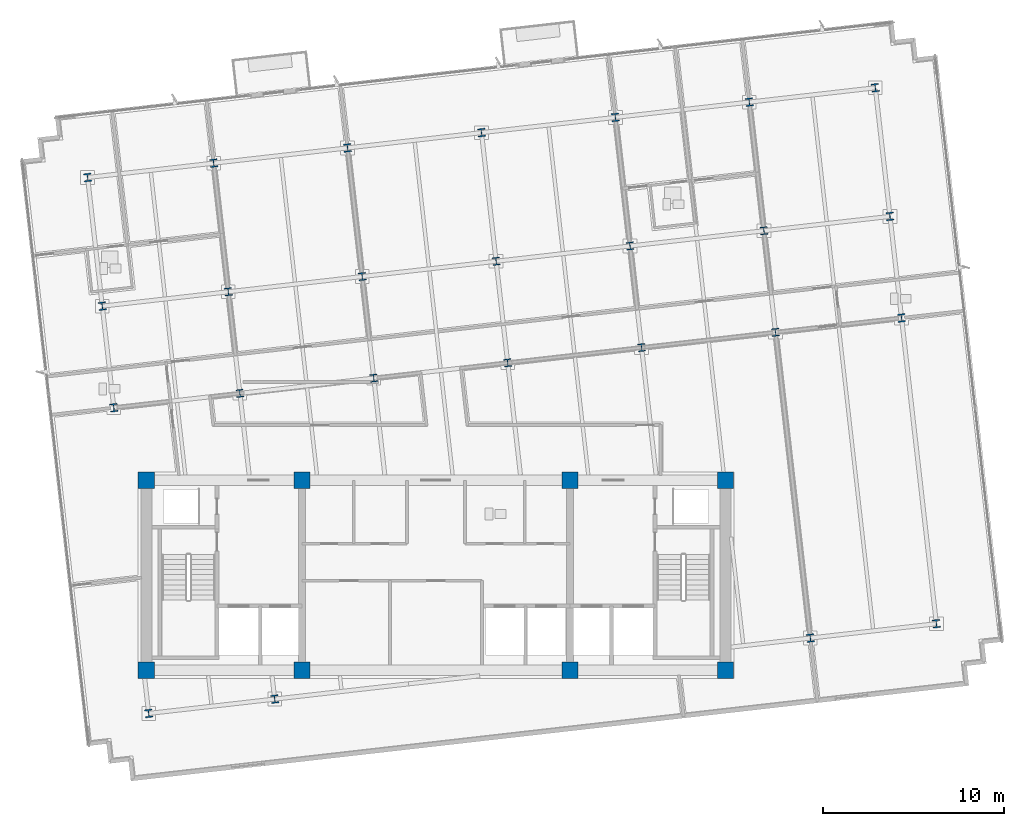
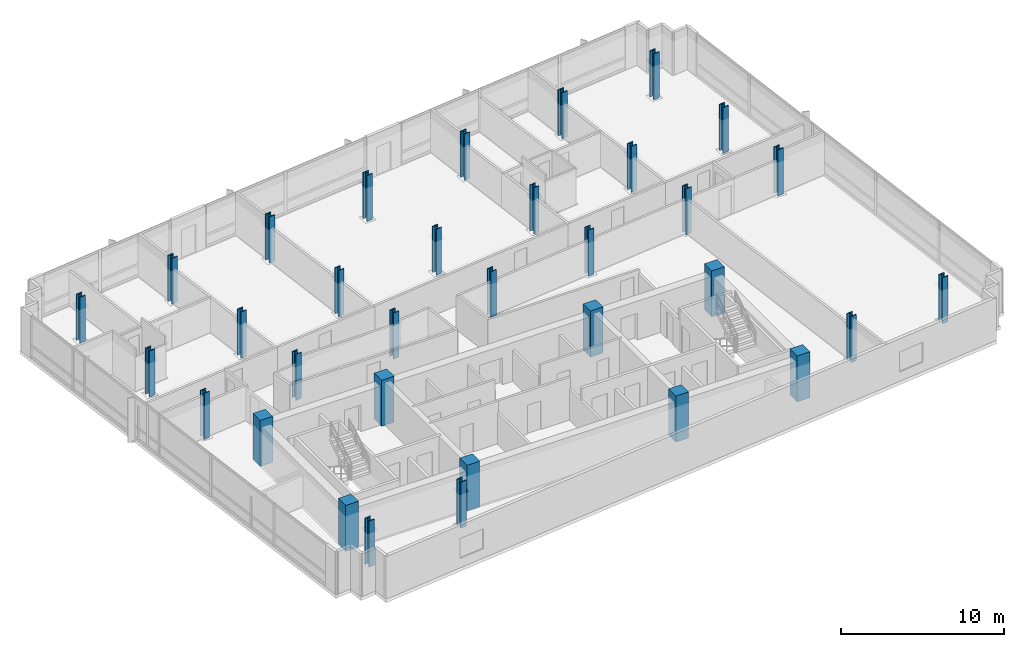
# One storey, part 1 of 15: 33 columns.
"""IFC4 building model written with IfcOpenShell, lengths in metres."""

from ifc_helpers import new_model, si_unit, direction, frame, origin, origin_2d, place, context, subcontext, project, spatial, rectangle, i_section, extrude, material, material_profile, profile_set, type_object, element, save


model = new_model("IFC4")

# Units and contexts
model_context = context("Model", 3, precision=1e-05, world=origin(), true_north=direction((0.0, 1.0)))
body_context = subcontext(model_context, "Body", "Model", "MODEL_VIEW")
ifc_project = project(units=[si_unit("LENGTHUNIT", "METRE"), si_unit("AREAUNIT", "SQUARE_METRE"), si_unit("VOLUMEUNIT", "CUBIC_METRE"), si_unit("PLANEANGLEUNIT", "RADIAN"), si_unit("MASSUNIT", "GRAM", prefix="KILO")], contexts=[model_context])

# Site, building, storey
site_placement = place(None, origin())
site = spatial("IfcSite", under=ifc_project, at=site_placement, CompositionType="ELEMENT")
building_placement = place(site_placement, origin())
building = spatial("IfcBuilding", under=site, at=building_placement, Name="Solmavex Isthmus Hotel", CompositionType="ELEMENT")
storey_placement = place(building_placement, frame((0.0, 0.0, 226.199951171875)))
storey = spatial("IfcBuildingStorey", under=building, at=storey_placement, Name="L61", CompositionType="ELEMENT", Elevation=226.199951171875)

# Columns
ifc_material_1 = material(Name="Concrete C50/60", Category="concrete")
ifc_material_profile_1 = material_profile(ifc_material_1, rectangle(XDim=0.89990234375, YDim=0.89990234375, at=origin_2d()), Name="RC900X900")
ifc_profile_set_1 = profile_set([ifc_material_profile_1], Name="Concrete C50/60")
column_type_1 = type_object("IfcColumnType", Name="COL-CC-900", PredefinedType="COLUMN", material=ifc_profile_set_1)
for number, where, z_axis, x_axis, name in (
    (1, (-16.0, -13.0, 0.0), (0.0, 0.0, 1.0), (1.0, 0.0, 0.0), "Core Pilaster CC-SW L61"),
    (2, (-7.39990234375, -13.0, 0.0), (0.0, 0.0, 1.0), (1.0, 0.0, 0.0), "Core Pilaster CC-S1 L61"),
    (3, (7.39990234375, -13.0, 0.0), (0.0, 0.0, 1.0), (1.0, 0.0, 0.0), "Core Pilaster CC-S2 L61"),
    (4, (16.0, -13.0, 0.0), (0.0, 0.0, 1.0), (1.0, 0.0, 0.0), "Core Pilaster CC-SE L61"),
    (5, (-16.0, -2.5, 0.0), (0.0, 0.0, 1.0), (1.0, 0.0, 0.0), "Core Pilaster CC-NW L61"),
    (6, (-7.39990234375, -2.5, 0.0), (0.0, 0.0, 1.0), (1.0, 0.0, 0.0), "Core Pilaster CC-N1 L61"),
    (7, (7.39990234375, -2.5, 0.0), (0.0, 0.0, 1.0), (1.0, 0.0, 0.0), "Core Pilaster CC-N2 L61"),
    (8, (16.0, -2.5, 0.0), (0.0, 0.0, 1.0), (1.0, 0.0, 0.0), "Core Pilaster CC-NE L61"),
):
    element("IfcColumn", number, at=place(storey_placement, frame(where, z_axis=z_axis, x_axis=x_axis)), inside=storey, type_object=column_type_1, Name=name, PredefinedType="COLUMN", context=body_context, shape_type="SweptSolid", body=[
        extrude(rectangle(XDim=0.89990234375, YDim=0.89990234375, at=origin_2d()), origin(), (0.0, 0.0, 1.0), 3.449951171875),
    ])
ifc_material_2 = material(Name="Steel ASTM A913 Grade 65", Category="steel")
ifc_material_profile_2 = material_profile(ifc_material_2, i_section(OverallWidth=0.412109375, OverallDepth=0.434814453125, WebThickness=0.035888671875, FlangeThickness=0.057373046875, FilletRadius=0.030517578125, at=origin_2d()), Name="W14X311")
ifc_profile_set_2 = profile_set([ifc_material_profile_2], Name="Steel ASTM A913 Grade 65")
column_type_2 = type_object("IfcColumnType", Name="COL-SC-W14X311", PredefinedType="COLUMN", material=ifc_profile_set_2)
for number, where, z_axis, x_axis, name in (
    (9, (-10.833984375, 2.30078125, 0.0), (0.0, 0.0, 1.0), (0.993571855677, 0.113203213768, 0.0), "Tower Column B4-U2V2 L61"),
    (10, (-11.473388671875, 7.912353515625, 0.0), (0.0, 0.0, 1.0), (0.993571855677, 0.113203213768, 0.0), "Tower Column B4-U2V3 L61"),
    (11, (-3.435791015625, 3.1435546875, 0.0), (0.0, 0.0, 1.0), (0.993571855677, 0.113203213768, 0.0), "Tower Column B4-U3V2 L61"),
    (12, (-4.0751953125, 8.75537109375, 0.0), (0.0, 0.0, 1.0), (0.993571855677, 0.113203213768, 0.0), "Tower Column B4-U3V3 L61"),
    (13, (3.962158203125, 3.986572265625, 0.0), (0.0, 0.0, 1.0), (0.993571855677, 0.113203213768, 0.0), "Tower Column B4-U4V2 L61"),
    (14, (3.322998046875, 9.59814453125, 0.0), (0.0, 0.0, 1.0), (0.993571855677, 0.113203213768, 0.0), "Tower Column B4-U4V3 L61"),
    (15, (11.3603515625, 4.829345703125, 0.0), (0.0, 0.0, 1.0), (0.993571855677, 0.113203213768, 0.0), "Tower Column B4-U5V2 L61"),
    (16, (10.720947265625, 10.441162109375, 0.0), (0.0, 0.0, 1.0), (0.993571855677, 0.113203213768, 0.0), "Tower Column B4-U5V3 L61"),
    (17, (18.758544921875, 5.67236328125, 0.0), (0.0, 0.0, 1.0), (0.993571855677, 0.113203213768, 0.0), "Tower Column B4-U6V2 L61"),
    (18, (18.119140625, 11.283935546875, 0.0), (0.0, 0.0, 1.0), (0.993571855677, 0.113203213768, 0.0), "Tower Column B4-U6V3 L61"),
):
    element("IfcColumn", number, at=place(storey_placement, frame(where, z_axis=z_axis, x_axis=x_axis)), inside=storey, type_object=column_type_2, Name=name, PredefinedType="COLUMN", context=body_context, shape_type="SweptSolid", body=[
        extrude(i_section(OverallWidth=0.412109375, OverallDepth=0.434814453125, WebThickness=0.035888671875, FlangeThickness=0.057373046875, FilletRadius=0.030517578125, at=origin_2d()), origin(), (0.0, 0.0, 1.0), 3.449951171875),
    ])
ifc_material_profile_3 = material_profile(ifc_material_2, i_section(OverallWidth=0.41845703125, OverallDepth=0.455078125, WebThickness=0.0419921875, FlangeThickness=0.067626953125, FilletRadius=0.030517578125, at=origin_2d()), Name="W14X370")
ifc_profile_set_3 = profile_set([ifc_material_profile_3], Name="Steel ASTM A913 Grade 65")
column_type_3 = type_object("IfcColumnType", Name="COL-SC-W14X370", PredefinedType="COLUMN", material=ifc_profile_set_3)
for number, where, z_axis, x_axis, name in (
    (19, (-15.87255859375, -15.38330078125, 0.0), (0.0, 0.0, 1.0), (0.993571855677, 0.113203213768, 0.0), "Tower Column B4-U1V1 L61"),
    (20, (-17.796875, 1.50732421875, 0.0), (0.0, 0.0, 1.0), (0.993571855677, 0.113203213768, 0.0), "Tower Column B4-U1V2 L61"),
    (21, (-18.436279296875, 7.119140625, 0.0), (0.0, 0.0, 1.0), (0.993571855677, 0.113203213768, 0.0), "Tower Column B4-U1V3 L61"),
    (22, (-19.245849609375, 14.22509765625, 0.0), (0.0, 0.0, 1.0), (0.993571855677, 0.113203213768, 0.0), "Tower Column B4-U1V4 L61"),
    (23, (-8.909423828125, -14.590087890625, 0.0), (0.0, 0.0, 1.0), (0.993571855677, 0.113203213768, 0.0), "Tower Column B4-U2V1 L61"),
    (24, (-12.282958984375, 15.018310546875, 0.0), (0.0, 0.0, 1.0), (0.993571855677, 0.113203213768, 0.0), "Tower Column B4-U2V4 L61"),
    (25, (-4.884765625, 15.861328125, 0.0), (0.0, 0.0, 1.0), (0.993571855677, 0.113203213768, 0.0), "Tower Column B4-U3V4 L61"),
    (26, (2.51318359375, 16.7041015625, 0.0), (0.0, 0.0, 1.0), (0.993571855677, 0.113203213768, 0.0), "Tower Column B4-U4V4 L61"),
    (27, (9.911376953125, 17.547119140625, 0.0), (0.0, 0.0, 1.0), (0.993571855677, 0.113203213768, 0.0), "Tower Column B4-U5V4 L61"),
    (28, (20.68310546875, -11.218505859375, 0.0), (0.0, 0.0, 1.0), (0.993571855677, 0.113203213768, 0.0), "Tower Column B4-U6V1 L61"),
    (29, (17.3095703125, 18.39013671875, 0.0), (0.0, 0.0, 1.0), (0.993571855677, 0.113203213768, 0.0), "Tower Column B4-U6V4 L61"),
    (30, (27.64599609375, -10.425048828125, 0.0), (0.0, 0.0, 1.0), (0.993571855677, 0.113203213768, 0.0), "Tower Column B4-U7V1 L61"),
    (31, (25.721435546875, 6.465576171875, 0.0), (0.0, 0.0, 1.0), (0.993571855677, 0.113203213768, 0.0), "Tower Column B4-U7V2 L61"),
    (32, (25.08203125, 12.077392578125, 0.0), (0.0, 0.0, 1.0), (0.993571855677, 0.113203213768, 0.0), "Tower Column B4-U7V3 L61"),
    (33, (24.2724609375, 19.183349609375, 0.0), (0.0, 0.0, 1.0), (0.993571855677, 0.113203213768, 0.0), "Tower Column B4-U7V4 L61"),
):
    element("IfcColumn", number, at=place(storey_placement, frame(where, z_axis=z_axis, x_axis=x_axis)), inside=storey, type_object=column_type_3, Name=name, PredefinedType="COLUMN", context=body_context, shape_type="SweptSolid", body=[
        extrude(i_section(OverallWidth=0.41845703125, OverallDepth=0.455078125, WebThickness=0.0419921875, FlangeThickness=0.067626953125, FilletRadius=0.030517578125, at=origin_2d()), origin(), (0.0, 0.0, 1.0), 3.449951171875),
    ])

save(model, "model.ifc")
